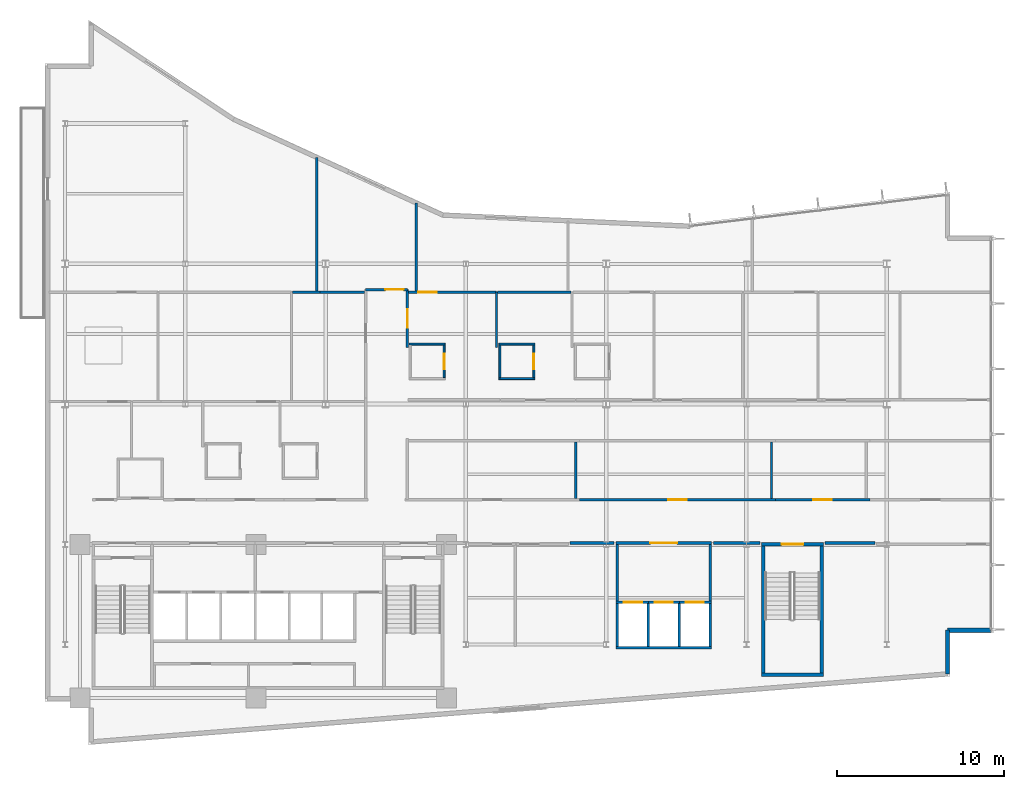
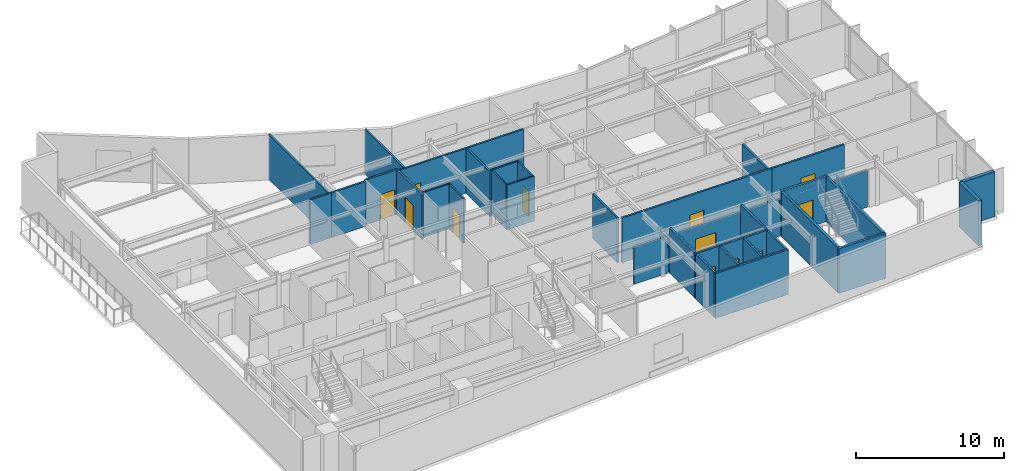
# One storey, part 12 of 19: 39 walls, 12 doors, 12 openings.
"""IFC4 building model written with IfcOpenShell, lengths in metres."""

from ifc_helpers import new_model, si_unit, direction, frame, frame_2d, origin, place, context, subcontext, project, spatial, rectangle, extrude, material, layer, layer_set, type_object, element, fill, save


model = new_model("IFC4")

# Units and contexts
model_context = context("Model", 3, precision=1e-05, world=origin(), true_north=direction((0.0, 1.0)))
body_context = subcontext(model_context, "Body", "Model", "MODEL_VIEW")
ifc_project = project(units=[si_unit("LENGTHUNIT", "METRE"), si_unit("AREAUNIT", "SQUARE_METRE"), si_unit("VOLUMEUNIT", "CUBIC_METRE"), si_unit("PLANEANGLEUNIT", "RADIAN"), si_unit("MASSUNIT", "GRAM", prefix="KILO")], contexts=[model_context])

# Site, building, storey
site_placement = place(None, origin())
site = spatial("IfcSite", under=ifc_project, at=site_placement, CompositionType="ELEMENT")
building_placement = place(site_placement, origin())
building = spatial("IfcBuilding", under=site, at=building_placement, Name="Varnakote Quay Hospital", CompositionType="ELEMENT")
storey_placement = place(building_placement, frame((0.0, 0.0, 162.60009765625)))
storey = spatial("IfcBuildingStorey", under=building, at=storey_placement, Name="L40", CompositionType="ELEMENT", Elevation=162.60009765625)

# Walls
ifc_material_1 = material(Name="Fire-rated acoustic gypsum stud wall", Category="gypsum")
ifc_layer_1 = layer(ifc_material_1, 0.159912109375)
ifc_layer_set_1 = layer_set([ifc_layer_1], Name="Fire-rated acoustic gypsum stud wall")
wall_type_1 = type_object("IfcWallType", Name="WL-COMP-160", PredefinedType="PARTITIONING", material=ifc_layer_set_1)
for number, where, z_axis, x_axis, name in (
    (1, (34.27001953125, 8.610107421875, 0.0), (0.0, 0.0, 1.0), (0.0, 1.0, 0.0), "L40 Mid-Rise Lift Lobby West Wall"),
    (2, (39.830078125, 8.610107421875, 0.0), (0.0, 0.0, 1.0), (0.0, 1.0, 0.0), "L40 Mid-Rise Lift Lobby East Wall"),
):
    element("IfcWall", number, at=place(storey_placement, frame(where, z_axis=z_axis, x_axis=x_axis)), inside=storey, type_object=wall_type_1, Name=name, PredefinedType="PARTITIONING", context=body_context, shape_type="SweptSolid", body=[
        extrude(rectangle(XDim=3.389892578125, YDim=0.159912109375, at=frame_2d((1.69482421875, 0.0))), origin(), (0.0, 0.0, 1.0), 3.7099609375),
    ])

# Wall, opening, door
wall_1_placement = place(storey_placement, frame((34.18994140625, 12.080078125, 0.0), z_axis=(0.0, 0.0, 1.0), x_axis=(1.0, 0.0, 0.0)))
wall_1 = element("IfcWall", 3, at=wall_1_placement, inside=storey, type_object=wall_type_1, Name="L40 Mid-Rise Lift Lobby North Wall", PredefinedType="PARTITIONING", context=body_context, shape_type="SweptSolid", body=[
    extrude(rectangle(XDim=5.719970703125, YDim=0.159912109375, at=frame_2d((2.85986328125, 0.0))), origin(), (0.0, 0.0, 1.0), 3.0830078125),
])
opening_1_placement = place(wall_1_placement, frame((2.06005859375, 0.0, 0.0)))
opening_1 = element("IfcOpeningElement", 4, at=opening_1_placement, cuts=wall_1, Name="Opening D-PML-L40", PredefinedType="OPENING", context=body_context, shape_type="SweptSolid", body=[
    extrude(rectangle(XDim=1.60009765625, YDim=2.050048828125, at=frame_2d((0.800048828125, 1.02490234375))), frame((0.0, 0.08984375, 0.0), z_axis=(0.0, -1.0, 0.0), x_axis=(1.0, 0.0, 0.0)), (0.0, 0.0, 1.0), 0.179931640625),
])
ifc_material_2 = material(Name="Fire-rated double smoke lobby door")
door_type_1 = type_object("IfcDoorType", Name="DR-LOBBY-FD60S-1600x2150", OperationType="NOTDEFINED", PredefinedType="DOOR", material=ifc_material_2)
door_1_placement = place(opening_1_placement, origin())
door_1 = element("IfcDoor", 5, at=door_1_placement, inside=storey, type_object=door_type_1, Name="L40 Mid-Rise Passenger Concourse Vestibule Door", OperationType="DOUBLE_DOOR_SINGLE_SWING", OverallHeight=2.050048828125, OverallWidth=1.60009765625, PredefinedType="DOOR", context=body_context, shape_type="SweptSolid", body=[
    extrude(rectangle(XDim=1.60009765625, YDim=2.050048828125, at=frame_2d((0.800048828125, 1.02490234375))), frame((0.0, 0.02490234375, 0.0), z_axis=(0.0, -1.0, 0.0), x_axis=(1.0, 0.0, 0.0)), (0.0, 0.0, 1.0), 0.050048828125),
])
fill(opening_1, door_1)

# Walls
wall_2_placement = place(storey_placement, frame((31.439208984375, 12.080078125, 0.0), z_axis=(0.0, 0.0, 1.0), x_axis=(1.0, 0.0, 0.0)))
element("IfcWall", 6, at=wall_2_placement, inside=storey, type_object=wall_type_1, Name="L40 Corridor South Gap Wall", PredefinedType="PARTITIONING", context=body_context, shape_type="SweptSolid", body=[
    extrude(rectangle(XDim=2.630859375, YDim=0.159912109375, at=frame_2d((1.3154296875, 0.0))), origin(), (0.0, 0.0, 1.0), 3.0830078125),
])
wall_3_placement = place(storey_placement, frame((40.030029296875, 12.080078125, 0.0), z_axis=(0.0, 0.0, 1.0), x_axis=(1.0, 0.0, 0.0)))
element("IfcWall", 7, at=wall_3_placement, inside=storey, type_object=wall_type_1, Name="L40 Corridor South Gap Wall", PredefinedType="PARTITIONING", context=body_context, shape_type="SweptSolid", body=[
    extrude(rectangle(XDim=2.78076171875, YDim=0.159912109375, at=frame_2d((1.390380859375, 0.0))), origin(), (0.0, 0.0, 1.0), 3.0830078125),
])
wall_4_placement = place(storey_placement, frame((46.689208984375, 12.080078125, 0.0), z_axis=(0.0, 0.0, 1.0), x_axis=(1.0, 0.0, 0.0)))
element("IfcWall", 8, at=wall_4_placement, inside=storey, type_object=wall_type_1, Name="L40 Corridor South Gap Wall", PredefinedType="PARTITIONING", context=body_context, shape_type="SweptSolid", body=[
    extrude(rectangle(XDim=3.0107421875, YDim=0.159912109375, at=frame_2d((1.50537109375, 0.0))), origin(), (0.0, 0.0, 1.0), 3.0830078125),
])
ifc_material_3 = material(Name="Moisture-resistant bathroom partition", Category="gypsum")
ifc_layer_2 = layer(ifc_material_3, 0.114990234375)
ifc_layer_set_2 = layer_set([ifc_layer_2], Name="Moisture-resistant bathroom partition")
wall_type_2 = type_object("IfcWallType", Name="WL-ENS-115", PredefinedType="PARTITIONING", material=ifc_layer_set_2)
wall_5_placement = place(storey_placement, frame((21.804931640625, 23.987548828125, 0.0), z_axis=(0.0, 0.0, 1.0), x_axis=(1.0, 0.0, 0.0)))
element("IfcWall", 9, at=wall_5_placement, inside=storey, type_object=wall_type_2, Name="L40 Inpatient En-Suite Bathroom 03 N Wall", PredefinedType="PARTITIONING", context=body_context, shape_type="SweptSolid", body=[
    extrude(rectangle(XDim=2.150146484375, YDim=0.114990234375, at=frame_2d((1.0751953125, 0.0))), origin(), (0.0, 0.0, 1.0), 3.7099609375),
])

# Wall, opening, door
wall_6_placement = place(storey_placement, frame((23.8974609375, 21.97998046875, 0.0), z_axis=(0.0, 0.0, 1.0), x_axis=(0.0, 1.0, 0.0)))
wall_6 = element("IfcWall", 10, at=wall_6_placement, inside=storey, type_object=wall_type_2, Name="L40 Inpatient En-Suite Bathroom 03 E Wall", PredefinedType="PARTITIONING", context=body_context, shape_type="SweptSolid", body=[
    extrude(rectangle(XDim=1.949951171875, YDim=0.114990234375, at=frame_2d((0.97509765625, 0.0))), origin(), (0.0, 0.0, 1.0), 3.7099609375),
])
opening_2_placement = place(wall_6_placement, frame((0.514892578125, 0.0, 0.0)))
opening_2 = element("IfcOpeningElement", 11, at=opening_2_placement, cuts=wall_6, Name="Opening D-L40-ENS03", PredefinedType="OPENING", context=body_context, shape_type="SweptSolid", body=[
    extrude(rectangle(XDim=0.919921875, YDim=2.10009765625, at=frame_2d((0.4599609375, 1.050048828125))), frame((0.0, 0.0673828125, 0.0), z_axis=(0.0, -1.0, 0.0), x_axis=(1.0, 0.0, 0.0)), (0.0, 0.0, 1.0), 0.135009765625),
])
ifc_material_4 = material(Name="Moisture-sealed en-suite bathroom door")
door_type_2 = type_object("IfcDoorType", Name="DR-ENS-920x2100", OperationType="NOTDEFINED", PredefinedType="DOOR", material=ifc_material_4)
door_2_placement = place(opening_2_placement, origin())
door_2 = element("IfcDoor", 12, at=door_2_placement, inside=storey, type_object=door_type_2, Name="L40 Inpatient En-Suite Bathroom 03 Door", OperationType="SINGLE_SWING_LEFT", OverallHeight=2.10009765625, OverallWidth=0.919921875, PredefinedType="DOOR", context=body_context, shape_type="SweptSolid", body=[
    extrude(rectangle(XDim=0.919921875, YDim=2.10009765625, at=frame_2d((0.4599609375, 1.050048828125))), frame((0.0, 0.02490234375, 0.0), z_axis=(0.0, -1.0, 0.0), x_axis=(1.0, 0.0, 0.0)), (0.0, 0.0, 1.0), 0.050048828125),
])
fill(opening_2, door_2)

# Walls
for number, where, z_axis, x_axis, name in (
    (13, (27.175048828125, 21.922607421875, 0.0), (0.0, 0.0, 1.0), (1.0, 0.0, 0.0), "L40 Inpatient En-Suite Bathroom 04 S Wall"),
    (14, (27.175048828125, 23.987548828125, 0.0), (0.0, 0.0, 1.0), (1.0, 0.0, 0.0), "L40 Inpatient En-Suite Bathroom 04 N Wall"),
):
    element("IfcWall", number, at=place(storey_placement, frame(where, z_axis=z_axis, x_axis=x_axis)), inside=storey, type_object=wall_type_2, Name=name, PredefinedType="PARTITIONING", context=body_context, shape_type="SweptSolid", body=[
        extrude(rectangle(XDim=2.14990234375, YDim=0.114990234375, at=frame_2d((1.074951171875, 0.0))), origin(), (0.0, 0.0, 1.0), 3.7099609375),
    ])
wall_7_placement = place(storey_placement, frame((27.232421875, 21.97998046875, 0.0), z_axis=(0.0, 0.0, 1.0), x_axis=(0.0, 1.0, 0.0)))
element("IfcWall", 15, at=wall_7_placement, inside=storey, type_object=wall_type_2, Name="L40 Inpatient En-Suite Bathroom 04 W Wall", PredefinedType="PARTITIONING", context=body_context, shape_type="SweptSolid", body=[
    extrude(rectangle(XDim=1.949951171875, YDim=0.114990234375, at=frame_2d((0.97509765625, 0.0))), origin(), (0.0, 0.0, 1.0), 3.7099609375),
])

# Wall, opening, door
wall_8_placement = place(storey_placement, frame((29.267578125, 21.97998046875, 0.0), z_axis=(0.0, 0.0, 1.0), x_axis=(0.0, 1.0, 0.0)))
wall_8 = element("IfcWall", 16, at=wall_8_placement, inside=storey, type_object=wall_type_2, Name="L40 Inpatient En-Suite Bathroom 04 E Wall", PredefinedType="PARTITIONING", context=body_context, shape_type="SweptSolid", body=[
    extrude(rectangle(XDim=1.949951171875, YDim=0.114990234375, at=frame_2d((0.97509765625, 0.0))), origin(), (0.0, 0.0, 1.0), 3.7099609375),
])
opening_3_placement = place(wall_8_placement, frame((0.514892578125, 0.0, 0.0)))
opening_3 = element("IfcOpeningElement", 17, at=opening_3_placement, cuts=wall_8, Name="Opening D-L40-ENS04", PredefinedType="OPENING", context=body_context, shape_type="SweptSolid", body=[
    extrude(rectangle(XDim=0.919921875, YDim=2.10009765625, at=frame_2d((0.4599609375, 1.050048828125))), frame((0.0, 0.0673828125, 0.0), z_axis=(0.0, -1.0, 0.0), x_axis=(1.0, 0.0, 0.0)), (0.0, 0.0, 1.0), 0.135009765625),
])
door_3_placement = place(opening_3_placement, origin())
door_3 = element("IfcDoor", 18, at=door_3_placement, inside=storey, type_object=door_type_2, Name="L40 Inpatient En-Suite Bathroom 04 Door", OperationType="SINGLE_SWING_RIGHT", OverallHeight=2.10009765625, OverallWidth=0.919921875, PredefinedType="DOOR", context=body_context, shape_type="SweptSolid", body=[
    extrude(rectangle(XDim=0.919921875, YDim=2.10009765625, at=frame_2d((0.4599609375, 1.050048828125))), frame((0.0, 0.02490234375, 0.0), z_axis=(0.0, -1.0, 0.0), x_axis=(1.0, 0.0, 0.0)), (0.0, 0.0, 1.0), 0.050048828125),
])
fill(opening_3, door_3)

# Walls
ifc_material_5 = material(Name="Precast concrete N50 (f'c 50 MPa)", Category="concrete")
ifc_layer_3 = layer(ifc_material_5, 0.260009765625)
ifc_layer_set_3 = layer_set([ifc_layer_3], Name="Precast concrete N50 (f'c 50 MPa)")
wall_type_3 = type_object("IfcWallType", Name="WL-EXT-BRICK-260", PredefinedType="STANDARD", material=ifc_layer_set_3)
wall_9_placement = place(storey_placement, frame((54.0400390625, 4.247802734375, 0.0), z_axis=(0.0, 0.0, 1.0), x_axis=(0.0, 1.0, 0.0)))
element("IfcWall", 19, at=wall_9_placement, inside=storey, type_object=wall_type_3, Name="L40 Brick-Faced Precast Exterior Wall", PredefinedType="STANDARD", context=body_context, shape_type="SweptSolid", body=[
    extrude(rectangle(XDim=2.6123046875, YDim=0.260009765625, at=frame_2d((1.30615234375, 0.0))), origin(), (0.0, 0.0, 1.0), 3.7099609375),
])
wall_10_placement = place(storey_placement, frame((54.0400390625, 6.860107421875, 0.0), z_axis=(0.0, 0.0, 1.0), x_axis=(1.0, 0.0, 0.0)))
element("IfcWall", 20, at=wall_10_placement, inside=storey, type_object=wall_type_3, Name="L40 Brick-Faced Precast Exterior Wall", PredefinedType="STANDARD", context=body_context, shape_type="SweptSolid", body=[
    extrude(rectangle(XDim=2.599853515625, YDim=0.260009765625, at=frame_2d((1.2998046875, 0.0))), origin(), (0.0, 0.0, 1.0), 3.7099609375),
])
ifc_material_6 = material(Name="Concrete N50 (f'c 50 MPa)", Category="concrete")
ifc_layer_4 = layer(ifc_material_6, 0.14990234375)
ifc_layer_set_4 = layer_set([ifc_layer_4], Name="Concrete N50 (f'c 50 MPa)")
wall_type_4 = type_object("IfcWallType", Name="WL-SHAFT-N50-150", PredefinedType="SHEAR", material=ifc_layer_set_4)
for number, where, z_axis, x_axis, name in (
    (21, (36.125, 5.89990234375, 0.0), (0.0, 0.0, 1.0), (0.0, 1.0, 0.0), "L40 LF-PM1 Hoistway Divider Wall"),
    (22, (37.97509765625, 5.89990234375, 0.0), (0.0, 0.0, 1.0), (0.0, 1.0, 0.0), "L40 LF-PM2 Hoistway Divider Wall"),
):
    element("IfcWall", number, at=place(storey_placement, frame(where, z_axis=z_axis, x_axis=x_axis)), inside=storey, type_object=wall_type_4, Name=name, PredefinedType="SHEAR", context=body_context, shape_type="SweptSolid", body=[
        extrude(rectangle(XDim=2.550048828125, YDim=0.14990234375, at=frame_2d((1.27490234375, 0.0))), origin(), (0.0, 0.0, 1.0), 3.7099609375),
    ])
ifc_material_7 = material(Name="Concrete N50 (f'c 50 MPa)", Category="concrete")
ifc_layer_5 = layer(ifc_material_7, 0.159912109375)
ifc_layer_set_5 = layer_set([ifc_layer_5], Name="Concrete N50 (f'c 50 MPa)")
wall_type_5 = type_object("IfcWallType", Name="WL-SHAFT-N50-160", PredefinedType="SHEAR", material=ifc_layer_set_5)
wall_11_placement = place(storey_placement, frame((34.18994140625, 5.820068359375, 0.0), z_axis=(0.0, 0.0, 1.0), x_axis=(1.0, 0.0, 0.0)))
element("IfcWall", 23, at=wall_11_placement, inside=storey, type_object=wall_type_5, Name="L40 MID Lift Bank Back Shear Wall", PredefinedType="SHEAR", context=body_context, shape_type="SweptSolid", body=[
    extrude(rectangle(XDim=5.719970703125, YDim=0.159912109375, at=frame_2d((2.85986328125, 0.0))), origin(), (0.0, 0.0, 1.0), 3.7099609375),
])
for number, where, z_axis, x_axis, name in (
    (24, (34.27001953125, 5.89990234375, 0.0), (0.0, 0.0, 1.0), (0.0, 1.0, 0.0), "L40 MID Lift Bank West Shear Wall"),
    (25, (39.830078125, 5.89990234375, 0.0), (0.0, 0.0, 1.0), (0.0, 1.0, 0.0), "L40 MID Lift Bank East Shear Wall"),
):
    element("IfcWall", number, at=place(storey_placement, frame(where, z_axis=z_axis, x_axis=x_axis)), inside=storey, type_object=wall_type_5, Name=name, PredefinedType="SHEAR", context=body_context, shape_type="SweptSolid", body=[
        extrude(rectangle(XDim=2.550048828125, YDim=0.159912109375, at=frame_2d((1.27490234375, 0.0))), origin(), (0.0, 0.0, 1.0), 3.7099609375),
    ])

# Wall, opening, door
wall_12_placement = place(storey_placement, frame((34.18994140625, 8.530029296875, 0.0), z_axis=(0.0, 0.0, 1.0), x_axis=(1.0, 0.0, 0.0)))
wall_12 = element("IfcWall", 26, at=wall_12_placement, inside=storey, type_object=wall_type_5, Name="L40 LF-PM1 Hoistway Front Wall", PredefinedType="SHEAR", context=body_context, shape_type="SweptSolid", body=[
    extrude(rectangle(XDim=1.93505859375, YDim=0.159912109375, at=frame_2d((0.967529296875, 0.0))), origin(), (0.0, 0.0, 1.0), 3.7099609375),
])
opening_4_placement = place(wall_12_placement, frame((0.4599609375, 0.0, 0.0)))
opening_4 = element("IfcOpeningElement", 27, at=opening_4_placement, cuts=wall_12, Name="Opening LD-PM1-L40", PredefinedType="OPENING", context=body_context, shape_type="SweptSolid", body=[
    extrude(rectangle(XDim=1.10009765625, YDim=2.14990234375, at=frame_2d((0.550048828125, 1.074951171875))), frame((0.0, 0.08984375, 0.0), z_axis=(0.0, -1.0, 0.0), x_axis=(1.0, 0.0, 0.0)), (0.0, 0.0, 1.0), 0.179931640625),
])
ifc_material_8 = material(Name="Brushed bronze lift landing sliding door")
door_type_3 = type_object("IfcDoorType", Name="DR-LIFT-LD-1100x2150", OperationType="NOTDEFINED", PredefinedType="DOOR", material=ifc_material_8)
door_4_placement = place(opening_4_placement, origin())
door_4 = element("IfcDoor", 28, at=door_4_placement, inside=storey, type_object=door_type_3, Name="L40 LF-PM1 Lift Landing Sliding Door", OperationType="SLIDING_TO_LEFT", OverallHeight=2.14990234375, OverallWidth=1.10009765625, PredefinedType="DOOR", context=body_context, shape_type="SweptSolid", body=[
    extrude(rectangle(XDim=1.10009765625, YDim=2.14990234375, at=frame_2d((0.550048828125, 1.074951171875))), frame((0.0, 0.02490234375, 0.0), z_axis=(0.0, -1.0, 0.0), x_axis=(1.0, 0.0, 0.0)), (0.0, 0.0, 1.0), 0.050048828125),
])
fill(opening_4, door_4)

wall_13_placement = place(storey_placement, frame((36.125, 8.530029296875, 0.0), z_axis=(0.0, 0.0, 1.0), x_axis=(1.0, 0.0, 0.0)))
wall_13 = element("IfcWall", 29, at=wall_13_placement, inside=storey, type_object=wall_type_5, Name="L40 LF-PM2 Hoistway Front Wall", PredefinedType="SHEAR", context=body_context, shape_type="SweptSolid", body=[
    extrude(rectangle(XDim=1.85009765625, YDim=0.159912109375, at=frame_2d((0.925048828125, 0.0))), origin(), (0.0, 0.0, 1.0), 3.7099609375),
])
opening_5_placement = place(wall_13_placement, frame((0.375, 0.0, 0.0)))
opening_5 = element("IfcOpeningElement", 30, at=opening_5_placement, cuts=wall_13, Name="Opening LD-PM2-L40", PredefinedType="OPENING", context=body_context, shape_type="SweptSolid", body=[
    extrude(rectangle(XDim=1.10009765625, YDim=2.14990234375, at=frame_2d((0.550048828125, 1.074951171875))), frame((0.0, 0.08984375, 0.0), z_axis=(0.0, -1.0, 0.0), x_axis=(1.0, 0.0, 0.0)), (0.0, 0.0, 1.0), 0.179931640625),
])
door_5_placement = place(opening_5_placement, origin())
door_5 = element("IfcDoor", 31, at=door_5_placement, inside=storey, type_object=door_type_3, Name="L40 LF-PM2 Lift Landing Sliding Door", OperationType="SLIDING_TO_LEFT", OverallHeight=2.14990234375, OverallWidth=1.10009765625, PredefinedType="DOOR", context=body_context, shape_type="SweptSolid", body=[
    extrude(rectangle(XDim=1.10009765625, YDim=2.14990234375, at=frame_2d((0.550048828125, 1.074951171875))), frame((0.0, 0.02490234375, 0.0), z_axis=(0.0, -1.0, 0.0), x_axis=(1.0, 0.0, 0.0)), (0.0, 0.0, 1.0), 0.050048828125),
])
fill(opening_5, door_5)

wall_14_placement = place(storey_placement, frame((37.97509765625, 8.530029296875, 0.0), z_axis=(0.0, 0.0, 1.0), x_axis=(1.0, 0.0, 0.0)))
wall_14 = element("IfcWall", 32, at=wall_14_placement, inside=storey, type_object=wall_type_5, Name="L40 LF-PM3 Hoistway Front Wall", PredefinedType="SHEAR", context=body_context, shape_type="SweptSolid", body=[
    extrude(rectangle(XDim=1.934814453125, YDim=0.159912109375, at=frame_2d((0.96728515625, 0.0))), origin(), (0.0, 0.0, 1.0), 3.7099609375),
])
opening_6_placement = place(wall_14_placement, frame((0.375, 0.0, 0.0)))
opening_6 = element("IfcOpeningElement", 33, at=opening_6_placement, cuts=wall_14, Name="Opening LD-PM3-L40", PredefinedType="OPENING", context=body_context, shape_type="SweptSolid", body=[
    extrude(rectangle(XDim=1.10009765625, YDim=2.14990234375, at=frame_2d((0.550048828125, 1.074951171875))), frame((0.0, 0.08984375, 0.0), z_axis=(0.0, -1.0, 0.0), x_axis=(1.0, 0.0, 0.0)), (0.0, 0.0, 1.0), 0.179931640625),
])
door_6_placement = place(opening_6_placement, origin())
door_6 = element("IfcDoor", 34, at=door_6_placement, inside=storey, type_object=door_type_3, Name="L40 LF-PM3 Lift Landing Sliding Door", OperationType="SLIDING_TO_LEFT", OverallHeight=2.14990234375, OverallWidth=1.10009765625, PredefinedType="DOOR", context=body_context, shape_type="SweptSolid", body=[
    extrude(rectangle(XDim=1.10009765625, YDim=2.14990234375, at=frame_2d((0.550048828125, 1.074951171875))), frame((0.0, 0.02490234375, 0.0), z_axis=(0.0, -1.0, 0.0), x_axis=(1.0, 0.0, 0.0)), (0.0, 0.0, 1.0), 0.050048828125),
])
fill(opening_6, door_6)

# Walls
ifc_material_9 = material(Name="Concrete N50 (f'c 50 MPa)", Category="concrete")
ifc_layer_6 = layer(ifc_material_9, 0.199951171875)
ifc_layer_set_6 = layer_set([ifc_layer_6], Name="Concrete N50 (f'c 50 MPa)")
wall_type_6 = type_object("IfcWallType", Name="WL-SHAFT-N50-200", PredefinedType="SHEAR", material=ifc_layer_set_6)
wall_15_placement = place(storey_placement, frame((42.89990234375, 4.199951171875, 0.0), z_axis=(0.0, 0.0, 1.0), x_axis=(1.0, 0.0, 0.0)))
element("IfcWall", 35, at=wall_15_placement, inside=storey, type_object=wall_type_6, Name="L40 Stair ST3 South Shaft Wall", PredefinedType="SHEAR", context=body_context, shape_type="SweptSolid", body=[
    extrude(rectangle(XDim=3.7001953125, YDim=0.199951171875, at=frame_2d((1.85009765625, 0.0))), origin(), (0.0, 0.0, 1.0), 3.7099609375),
])
for number, where, z_axis, x_axis, name in (
    (36, (43.0, 4.300048828125, 0.0), (0.0, 0.0, 1.0), (0.0, 1.0, 0.0), "L40 Stair ST3 West Shaft Wall"),
    (37, (46.5, 4.300048828125, 0.0), (0.0, 0.0, 1.0), (0.0, 1.0, 0.0), "L40 Stair ST3 East Shaft Wall"),
):
    element("IfcWall", number, at=place(storey_placement, frame(where, z_axis=z_axis, x_axis=x_axis)), inside=storey, type_object=wall_type_6, Name=name, PredefinedType="SHEAR", context=body_context, shape_type="SweptSolid", body=[
        extrude(rectangle(XDim=7.599853515625, YDim=0.199951171875, at=frame_2d((3.7998046875, 0.0))), origin(), (0.0, 0.0, 1.0), 3.7099609375),
    ])

# Wall, opening, door
wall_16_placement = place(storey_placement, frame((42.89990234375, 12.0, 0.0), z_axis=(0.0, 0.0, 1.0), x_axis=(1.0, 0.0, 0.0)))
wall_16 = element("IfcWall", 38, at=wall_16_placement, inside=storey, type_object=wall_type_6, Name="L40 Stair ST3 Exit Wall", PredefinedType="SHEAR", context=body_context, shape_type="SweptSolid", body=[
    extrude(rectangle(XDim=3.7001953125, YDim=0.199951171875, at=frame_2d((1.85009765625, 0.0))), origin(), (0.0, 0.0, 1.0), 3.7099609375),
])
opening_7_placement = place(wall_16_placement, frame((1.199951171875, 0.0, 0.0)))
opening_7 = element("IfcOpeningElement", 39, at=opening_7_placement, cuts=wall_16, Name="Opening D-ST3-L40", PredefinedType="OPENING", context=body_context, shape_type="SweptSolid", body=[
    extrude(rectangle(XDim=1.300048828125, YDim=2.14990234375, at=frame_2d((0.64990234375, 1.074951171875))), frame((0.0, 0.10986328125, 0.0), z_axis=(0.0, -1.0, 0.0), x_axis=(1.0, 0.0, 0.0)), (0.0, 0.0, 1.0), 0.219970703125),
])
ifc_material_10 = material(Name="Fire-rated ceramic-glazed timber exit door", Category="wood")
door_type_4 = type_object("IfcDoorType", Name="DR-STAIR-FD60S-1300x2150", OperationType="NOTDEFINED", PredefinedType="DOOR", material=ifc_material_10)
door_7_placement = place(opening_7_placement, origin())
door_7 = element("IfcDoor", 40, at=door_7_placement, inside=storey, type_object=door_type_4, Name="L40 Stair ST3 Fire Exit Door", OperationType="SINGLE_SWING_RIGHT", OverallHeight=2.14990234375, OverallWidth=1.300048828125, PredefinedType="DOOR", context=body_context, shape_type="SweptSolid", body=[
    extrude(rectangle(XDim=1.300048828125, YDim=2.14990234375, at=frame_2d((0.64990234375, 1.074951171875))), frame((0.0, 0.02490234375, 0.0), z_axis=(0.0, -1.0, 0.0), x_axis=(1.0, 0.0, 0.0)), (0.0, 0.0, 1.0), 0.050048828125),
])
fill(opening_7, door_7)

# Walls
ifc_material_11 = material(Name="Smoke-proof clinical partition", Category="gypsum")
ifc_layer_7 = layer(ifc_material_11, 0.135009765625)
ifc_layer_set_7 = layer_set([ifc_layer_7], Name="Smoke-proof clinical partition")
wall_type_7 = type_object("IfcWallType", Name="WL-SMOKE-135", PredefinedType="PARTITIONING", material=ifc_layer_set_7)
for number, where, z_axis, x_axis, name in (
    (41, (31.780029296875, 14.760009765625, 0.0), (0.0, 0.0, 1.0), (0.0, 1.0, 0.0), "L40 Clinical Interior Partition"),
    (42, (43.5, 14.760009765625, 0.0), (0.0, 0.0, 1.0), (0.0, 1.0, 0.0), "L40 Clinical Interior Partition"),
):
    element("IfcWall", number, at=place(storey_placement, frame(where, z_axis=z_axis, x_axis=x_axis)), inside=storey, type_object=wall_type_7, Name=name, PredefinedType="PARTITIONING", context=body_context, shape_type="SweptSolid", body=[
        extrude(rectangle(XDim=3.360107421875, YDim=0.135009765625, at=frame_2d((1.68017578125, 0.0))), origin(), (0.0, 0.0, 1.0), 3.7099609375),
    ])
wall_17_placement = place(storey_placement, frame((16.448486328125, 27.10009765625, 0.0), z_axis=(0.0, 0.0, 1.0), x_axis=(-1.0, 0.0, 0.0)))
element("IfcWall", 43, at=wall_17_placement, inside=storey, type_object=wall_type_7, Name="L40 Clinical Interior Partition", PredefinedType="PARTITIONING", context=body_context, shape_type="SweptSolid", body=[
    extrude(rectangle(XDim=1.640869140625, YDim=0.135009765625, at=frame_2d((0.8203125, 0.0))), origin(), (0.0, 0.0, 1.0), 3.7099609375),
])
wall_18_placement = place(storey_placement, frame((19.1201171875, 27.10009765625, 0.0), z_axis=(0.0, 0.0, 1.0), x_axis=(-1.0, 0.0, 0.0)))
element("IfcWall", 44, at=wall_18_placement, inside=storey, type_object=wall_type_7, Name="L40 Clinical Interior Partition", PredefinedType="PARTITIONING", context=body_context, shape_type="SweptSolid", body=[
    extrude(rectangle(XDim=2.669677734375, YDim=0.135009765625, at=frame_2d((1.3349609375, 0.0))), origin(), (0.0, 0.0, 1.0), 3.7099609375),
])
wall_19_placement = place(storey_placement, frame((27.030029296875, 23.802490234375, 0.0), z_axis=(0.0, 0.0, 1.0), x_axis=(0.0, 1.0, 0.0)))
element("IfcWall", 45, at=wall_19_placement, inside=storey, type_object=wall_type_7, Name="L40 Clinical Interior Partition", PredefinedType="PARTITIONING", context=body_context, shape_type="SweptSolid", body=[
    extrude(rectangle(XDim=3.297607421875, YDim=0.135009765625, at=frame_2d((1.64892578125, 0.0))), origin(), (0.0, 0.0, 1.0), 3.7099609375),
])

# Wall, opening, door
wall_20_placement = place(storey_placement, frame((27.030029296875, 27.10009765625, 0.0), z_axis=(0.0, 0.0, 1.0), x_axis=(-1.0, 0.0, 0.0)))
wall_20 = element("IfcWall", 46, at=wall_20_placement, inside=storey, type_object=wall_type_7, Name="L40 Clinical Interior Partition", PredefinedType="PARTITIONING", context=body_context, shape_type="SweptSolid", body=[
    extrude(rectangle(XDim=5.26513671875, YDim=0.135009765625, at=frame_2d((2.632568359375, 0.0))), origin(), (0.0, 0.0, 1.0), 3.7099609375),
])
opening_8_placement = place(wall_20_placement, frame((3.58837890625, 0.0, 0.0)))
opening_8 = element("IfcOpeningElement", 47, at=opening_8_placement, cuts=wall_20, Name="Opening D-L40-MD15", PredefinedType="OPENING", context=body_context, shape_type="SweptSolid", body=[
    extrude(rectangle(XDim=1.10009765625, YDim=2.10009765625, at=frame_2d((0.550048828125, 1.050048828125))), frame((0.0, 0.077392578125, 0.0), z_axis=(0.0, -1.0, 0.0), x_axis=(1.0, 0.0, 0.0)), (0.0, 0.0, 1.0), 0.155029296875),
])
ifc_material_12 = material(Name="Acoustic timber clinical consult door", Category="wood")
door_type_5 = type_object("IfcDoorType", Name="DR-CLIN-FD30S-1100x2100", OperationType="NOTDEFINED", PredefinedType="DOOR", material=ifc_material_12)
door_8_placement = place(opening_8_placement, origin())
door_8 = element("IfcDoor", 48, at=door_8_placement, inside=storey, type_object=door_type_5, Name="L40 Specialist Handover Meeting Room Door", OperationType="SINGLE_SWING_LEFT", OverallHeight=2.10009765625, OverallWidth=1.10009765625, PredefinedType="DOOR", context=body_context, shape_type="SweptSolid", body=[
    extrude(rectangle(XDim=1.10009765625, YDim=2.10009765625, at=frame_2d((0.550048828125, 1.050048828125))), frame((0.0, 0.02490234375, 0.0), z_axis=(0.0, -1.0, 0.0), x_axis=(1.0, 0.0, 0.0)), (0.0, 0.0, 1.0), 0.050048828125),
])
fill(opening_8, door_8)

# Walls
wall_21_placement = place(storey_placement, frame((31.49853515625, 27.10009765625, 0.0), z_axis=(0.0, 0.0, 1.0), x_axis=(-1.0, 0.0, 0.0)))
element("IfcWall", 49, at=wall_21_placement, inside=storey, type_object=wall_type_7, Name="L40 Clinical Interior Partition", PredefinedType="PARTITIONING", context=body_context, shape_type="SweptSolid", body=[
    extrude(rectangle(XDim=4.4111328125, YDim=0.135009765625, at=frame_2d((2.20556640625, 0.0))), origin(), (0.0, 0.0, 1.0), 3.7099609375),
])
wall_22_placement = place(storey_placement, frame((16.27001953125, 27.157470703125, 0.0), z_axis=(0.0, 0.0, 1.0), x_axis=(0.0, 1.0, 0.0)))
element("IfcWall", 50, at=wall_22_placement, inside=storey, type_object=wall_type_7, Name="L40 Clinical Interior Partition", PredefinedType="PARTITIONING", context=body_context, shape_type="SweptSolid", body=[
    extrude(rectangle(XDim=8.01416015625, YDim=0.135009765625, at=frame_2d((4.007080078125, 0.0))), origin(), (0.0, 0.0, 1.0), 3.7099609375),
])
wall_23_placement = place(storey_placement, frame((22.219970703125, 27.157470703125, 0.0), z_axis=(0.0, 0.0, 1.0), x_axis=(0.0, 1.0, 0.0)))
element("IfcWall", 51, at=wall_23_placement, inside=storey, type_object=wall_type_7, Name="L40 Clinical Interior Partition", PredefinedType="PARTITIONING", context=body_context, shape_type="SweptSolid", body=[
    extrude(rectangle(XDim=5.289794921875, YDim=0.135009765625, at=frame_2d((2.64501953125, 0.0))), origin(), (0.0, 0.0, 1.0), 3.7099609375),
])

# Wall, opening, door
ifc_material_13 = material(Name="Fire-rated clinical gypsum partition", Category="gypsum")
ifc_layer_8 = layer(ifc_material_13, 0.14990234375)
ifc_layer_set_8 = layer_set([ifc_layer_8], Name="Fire-rated clinical gypsum partition")
wall_type_8 = type_object("IfcWallType", Name="WL-WARD-150", PredefinedType="PARTITIONING", material=ifc_layer_set_8)
wall_24_placement = place(storey_placement, frame((43.72607421875, 14.679931640625, 0.0), z_axis=(0.0, 0.0, 1.0), x_axis=(-1.0, 0.0, 0.0)))
wall_24 = element("IfcWall", 52, at=wall_24_placement, inside=storey, type_object=wall_type_8, Name="L40 Clinical Interior Partition", PredefinedType="PARTITIONING", context=body_context, shape_type="SweptSolid", body=[
    extrude(rectangle(XDim=11.718017578125, YDim=0.14990234375, at=frame_2d((5.85888671875, 0.0))), origin(), (0.0, 0.0, 1.0), 3.7099609375),
])
opening_9_placement = place(wall_24_placement, frame((5.30908203125, 0.0, 0.0)))
opening_9 = element("IfcOpeningElement", 53, at=opening_9_placement, cuts=wall_24, Name="Opening D-L40-MD04", PredefinedType="OPENING", context=body_context, shape_type="SweptSolid", body=[
    extrude(rectangle(XDim=1.10009765625, YDim=2.10009765625, at=frame_2d((0.550048828125, 1.050048828125))), frame((0.0, 0.0849609375, 0.0), z_axis=(0.0, -1.0, 0.0), x_axis=(1.0, 0.0, 0.0)), (0.0, 0.0, 1.0), 0.169921875),
])
door_9_placement = place(opening_9_placement, origin())
door_9 = element("IfcDoor", 54, at=door_9_placement, inside=storey, type_object=door_type_5, Name="L40 Clinical Educator Office Door", OperationType="SINGLE_SWING_RIGHT", OverallHeight=2.10009765625, OverallWidth=1.10009765625, PredefinedType="DOOR", context=body_context, shape_type="SweptSolid", body=[
    extrude(rectangle(XDim=1.10009765625, YDim=2.10009765625, at=frame_2d((0.550048828125, 1.050048828125))), frame((0.0, 0.02490234375, 0.0), z_axis=(0.0, -1.0, 0.0), x_axis=(1.0, 0.0, 0.0)), (0.0, 0.0, 1.0), 0.050048828125),
])
fill(opening_9, door_9)

wall_25_placement = place(storey_placement, frame((49.39599609375, 14.679931640625, 0.0), z_axis=(0.0, 0.0, 1.0), x_axis=(-1.0, 0.0, 0.0)))
wall_25 = element("IfcWall", 55, at=wall_25_placement, inside=storey, type_object=wall_type_8, Name="L40 Clinical Interior Partition", PredefinedType="PARTITIONING", context=body_context, shape_type="SweptSolid", body=[
    extrude(rectangle(XDim=5.66796875, YDim=0.14990234375, at=frame_2d((2.833984375, 0.0))), origin(), (0.0, 0.0, 1.0), 3.7099609375),
])
opening_10_placement = place(wall_25_placement, frame((2.283935546875, 0.0, 0.0)))
opening_10 = element("IfcOpeningElement", 56, at=opening_10_placement, cuts=wall_25, Name="Opening D-L40-MD05", PredefinedType="OPENING", context=body_context, shape_type="SweptSolid", body=[
    extrude(rectangle(XDim=1.10009765625, YDim=2.10009765625, at=frame_2d((0.550048828125, 1.050048828125))), frame((0.0, 0.0849609375, 0.0), z_axis=(0.0, -1.0, 0.0), x_axis=(1.0, 0.0, 0.0)), (0.0, 0.0, 1.0), 0.169921875),
])
door_10_placement = place(opening_10_placement, origin())
door_10 = element("IfcDoor", 57, at=door_10_placement, inside=storey, type_object=door_type_5, Name="L40 Clinical Simulation Teaching Room Door", OperationType="SINGLE_SWING_LEFT", OverallHeight=2.10009765625, OverallWidth=1.10009765625, PredefinedType="DOOR", context=body_context, shape_type="SweptSolid", body=[
    extrude(rectangle(XDim=1.10009765625, YDim=2.10009765625, at=frame_2d((0.550048828125, 1.050048828125))), frame((0.0, 0.02490234375, 0.0), z_axis=(0.0, -1.0, 0.0), x_axis=(1.0, 0.0, 0.0)), (0.0, 0.0, 1.0), 0.050048828125),
])
fill(opening_10, door_10)

wall_26_placement = place(storey_placement, frame((21.699951171875, 23.783935546875, 0.0), z_axis=(0.0, 0.0, 1.0), x_axis=(0.0, 1.0, 0.0)))
wall_26 = element("IfcWall", 58, at=wall_26_placement, inside=storey, type_object=wall_type_8, Name="L40 Clinical Interior Partition", PredefinedType="PARTITIONING", context=body_context, shape_type="SweptSolid", body=[
    extrude(rectangle(XDim=3.47607421875, YDim=0.14990234375, at=frame_2d((1.738037109375, 0.0))), origin(), (0.0, 0.0, 1.0), 3.7099609375),
])
opening_11_placement = place(wall_26_placement, frame((1.18798828125, 0.0, 0.0)))
opening_11 = element("IfcOpeningElement", 59, at=opening_11_placement, cuts=wall_26, Name="Opening D-L40-BR03", PredefinedType="OPENING", context=body_context, shape_type="SweptSolid", body=[
    extrude(rectangle(XDim=1.10009765625, YDim=2.10009765625, at=frame_2d((0.550048828125, 1.050048828125))), frame((0.0, 0.0849609375, 0.0), z_axis=(0.0, -1.0, 0.0), x_axis=(1.0, 0.0, 0.0)), (0.0, 0.0, 1.0), 0.169921875),
])
door_11_placement = place(opening_11_placement, origin())
door_11 = element("IfcDoor", 60, at=door_11_placement, inside=storey, type_object=door_type_5, Name="L40 Inpatient Clinical Treatment Room 03 Door", OperationType="SINGLE_SWING_RIGHT", OverallHeight=2.10009765625, OverallWidth=1.10009765625, PredefinedType="DOOR", context=body_context, shape_type="SweptSolid", body=[
    extrude(rectangle(XDim=1.10009765625, YDim=2.10009765625, at=frame_2d((0.550048828125, 1.050048828125))), frame((0.0, 0.02490234375, 0.0), z_axis=(0.0, -1.0, 0.0), x_axis=(1.0, 0.0, 0.0)), (0.0, 0.0, 1.0), 0.050048828125),
])
fill(opening_11, door_11)

wall_27_placement = place(storey_placement, frame((21.699951171875, 27.260009765625, 0.0), z_axis=(0.0, 0.0, 1.0), x_axis=(-1.0, 0.0, 0.0)))
wall_27 = element("IfcWall", 61, at=wall_27_placement, inside=storey, type_object=wall_type_8, Name="L40 Clinical Interior Partition", PredefinedType="PARTITIONING", context=body_context, shape_type="SweptSolid", body=[
    extrude(rectangle(XDim=2.5, YDim=0.14990234375, at=frame_2d((1.25, 0.0))), origin(), (0.0, 0.0, 1.0), 3.7099609375),
])
opening_12_placement = place(wall_27_placement, frame((0.22509765625, 0.0, 0.0)))
opening_12 = element("IfcOpeningElement", 62, at=opening_12_placement, cuts=wall_27, Name="Opening D-L40-MD14", PredefinedType="OPENING", context=body_context, shape_type="SweptSolid", body=[
    extrude(rectangle(XDim=1.10009765625, YDim=2.10009765625, at=frame_2d((0.550048828125, 1.050048828125))), frame((0.0, 0.0849609375, 0.0), z_axis=(0.0, -1.0, 0.0), x_axis=(1.0, 0.0, 0.0)), (0.0, 0.0, 1.0), 0.169921875),
])
door_12_placement = place(opening_12_placement, origin())
door_12 = element("IfcDoor", 63, at=door_12_placement, inside=storey, type_object=door_type_5, Name="L40 Allied Health Teaching Laboratory Door", OperationType="SINGLE_SWING_LEFT", OverallHeight=2.10009765625, OverallWidth=1.10009765625, PredefinedType="DOOR", context=body_context, shape_type="SweptSolid", body=[
    extrude(rectangle(XDim=1.10009765625, YDim=2.10009765625, at=frame_2d((0.550048828125, 1.050048828125))), frame((0.0, 0.02490234375, 0.0), z_axis=(0.0, -1.0, 0.0), x_axis=(1.0, 0.0, 0.0)), (0.0, 0.0, 1.0), 0.050048828125),
])
fill(opening_12, door_12)

save(model, "model.ifc")
